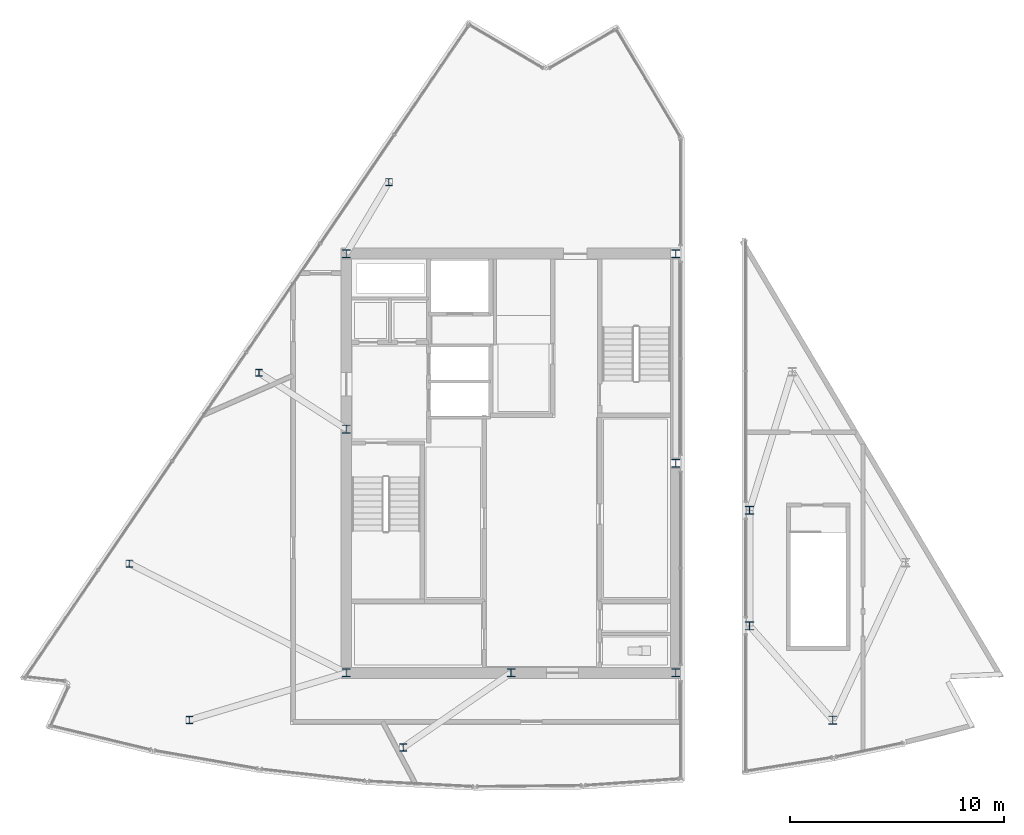
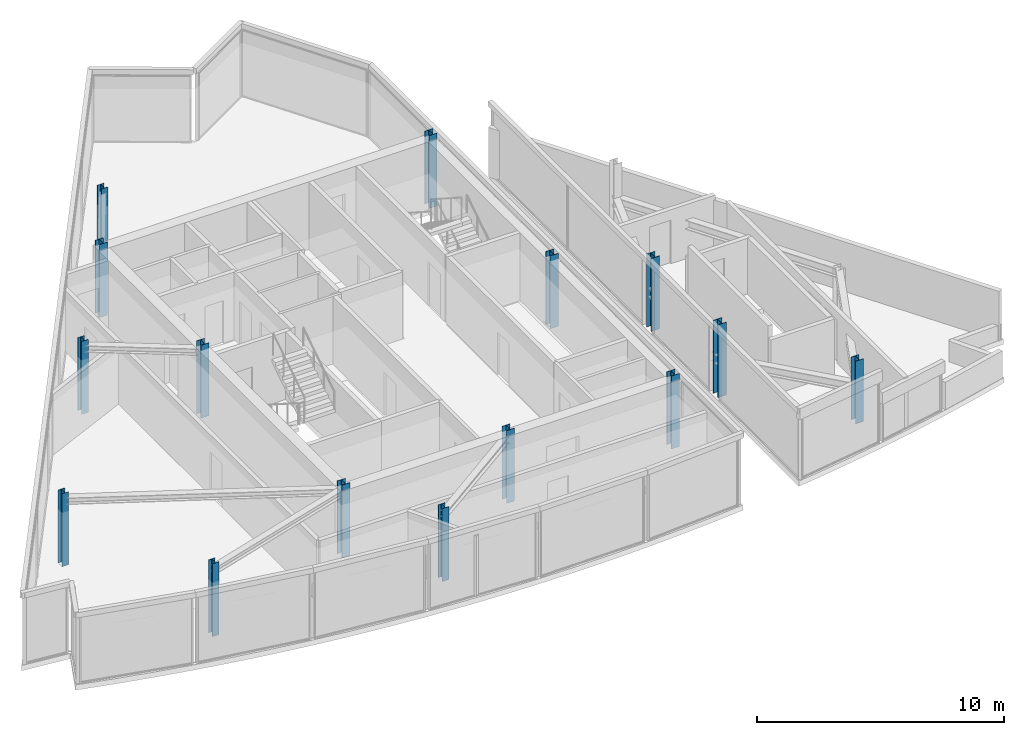
# One storey, part 1 of 13: 15 columns.
"""IFC4 building model written with IfcOpenShell, lengths in metres."""

from ifc_helpers import new_model, si_unit, direction, frame, origin, origin_2d, place, context, subcontext, project, spatial, i_section, extrude, material, material_profile, profile_set, type_object, element, save


model = new_model("IFC4")

# Units and contexts
model_context = context("Model", 3, precision=1e-05, world=origin(), true_north=direction((0.0, 1.0)))
body_context = subcontext(model_context, "Body", "Model", "MODEL_VIEW")
ifc_project = project(units=[si_unit("LENGTHUNIT", "METRE"), si_unit("AREAUNIT", "SQUARE_METRE"), si_unit("VOLUMEUNIT", "CUBIC_METRE"), si_unit("PLANEANGLEUNIT", "RADIAN"), si_unit("MASSUNIT", "GRAM", prefix="KILO")], contexts=[model_context])

# Site, building, storey
site_placement = place(None, origin())
site = spatial("IfcSite", under=ifc_project, at=site_placement, CompositionType="ELEMENT")
building_placement = place(site_placement, origin())
building = spatial("IfcBuilding", under=site, at=building_placement, Name="Savorim Split Tower", CompositionType="ELEMENT")
storey_placement = place(building_placement, frame((0.0, 0.0, 312.0)))
storey = spatial("IfcBuildingStorey", under=building, at=storey_placement, Name="Crown L83 Plant", CompositionType="ELEMENT", Elevation=312.0)

# Columns
ifc_material = material(Name="Steel S355", Category="steel")
ifc_material_profile_1 = material_profile(ifc_material, i_section(OverallWidth=0.30908203125, OverallDepth=0.330078125, WebThickness=0.011474609375, FlangeThickness=0.01904296875, FilletRadius=0.027099609375, at=origin_2d()), Name="HD 320x158")
ifc_profile_set_1 = profile_set([ifc_material_profile_1], Name="Steel S355")
column_type_1 = type_object("IfcColumnType", Name="COL-HD-158", PredefinedType="COLUMN", material=ifc_profile_set_1)
for number, where, z_axis, x_axis, name in (
    (1, (-15.037109375, -11.6015625, 0.0), (0.0, 0.0, 1.0), (1.0, 0.0, 0.0), "Crown L83 Plant West Crown Column WC-1"),
    (2, (-5.039794921875, -12.885009765625, 0.0), (0.0, 0.0, 1.0), (1.0, 0.0, 0.0), "Crown L83 Plant West Crown Column WC-2"),
    (3, (-17.84033203125, -4.288818359375, 0.0), (0.0, 0.0, 1.0), (1.0, 0.0, 0.0), "Crown L83 Plant West Crown Column WC-3"),
    (4, (-11.775390625, 4.626708984375, 0.0), (0.0, 0.0, 1.0), (1.0, 0.0, 0.0), "Crown L83 Plant West Crown Column WC-4"),
    (5, (-5.710205078125, 13.542236328125, 0.0), (0.0, 0.0, 1.0), (1.0, 0.0, 0.0), "Crown L83 Plant West Crown Column WC-5"),
):
    element("IfcColumn", number, at=place(storey_placement, frame(where, z_axis=z_axis, x_axis=x_axis)), inside=storey, type_object=column_type_1, Name=name, PredefinedType="COLUMN", context=body_context, shape_type="SweptSolid", body=[
        extrude(i_section(OverallWidth=0.30908203125, OverallDepth=0.330078125, WebThickness=0.011474609375, FlangeThickness=0.01904296875, FilletRadius=0.027099609375, at=origin_2d()), origin(), (0.0, 0.0, 1.0), 3.60009765625),
    ])
ifc_material_profile_2 = material_profile(ifc_material, i_section(OverallWidth=0.3740234375, OverallDepth=0.3720703125, WebThickness=0.01220703125, FlangeThickness=0.02001953125, FilletRadius=0.014892578125, at=origin_2d()), Name="HD 360x196")
ifc_profile_set_2 = profile_set([ifc_material_profile_2], Name="Steel S355")
column_type_2 = type_object("IfcColumnType", Name="COL-HD-196", PredefinedType="COLUMN", material=ifc_profile_set_2)
for number, where, z_axis, x_axis, name in (
    (6, (-7.699951171875, -9.39990234375, 0.0), (0.0, 0.0, 1.0), (1.0, 0.0, 0.0), "Crown L83 Plant Core Structural Column TC-C1"),
    (7, (7.699951171875, -9.39990234375, 0.0), (0.0, 0.0, 1.0), (1.0, 0.0, 0.0), "Crown L83 Plant Core Structural Column TC-C2"),
    (8, (7.699951171875, 10.199951171875, 0.0), (0.0, 0.0, 1.0), (1.0, 0.0, 0.0), "Crown L83 Plant Core Structural Column TC-C3"),
    (9, (-7.699951171875, 10.199951171875, 0.0), (0.0, 0.0, 1.0), (1.0, 0.0, 0.0), "Crown L83 Plant Core Structural Column TC-C4"),
    (10, (0.0, -9.39990234375, 0.0), (0.0, 0.0, 1.0), (1.0, 0.0, 0.0), "Crown L83 Plant Core Structural Column TC-C5"),
    (11, (7.699951171875, 0.39990234375, 0.0), (0.0, 0.0, 1.0), (1.0, 0.0, 0.0), "Crown L83 Plant Core Structural Column TC-C6"),
    (12, (-7.699951171875, 2.0, 0.0), (0.0, 0.0, 1.0), (1.0, 0.0, 0.0), "Crown L83 Plant Core Structural Column TC-C7"),
):
    element("IfcColumn", number, at=place(storey_placement, frame(where, z_axis=z_axis, x_axis=x_axis)), inside=storey, type_object=column_type_2, Name=name, PredefinedType="COLUMN", context=body_context, shape_type="SweptSolid", body=[
        extrude(i_section(OverallWidth=0.3740234375, OverallDepth=0.3720703125, WebThickness=0.01220703125, FlangeThickness=0.02001953125, FilletRadius=0.014892578125, at=origin_2d()), origin(), (0.0, 0.0, 1.0), 3.60009765625),
    ])
column_placement = place(storey_placement, frame((15.037109375, -11.6015625, 0.0), z_axis=(0.0, 0.0, 1.0), x_axis=(1.0, 0.0, 0.0)))
element("IfcColumn", 13, at=column_placement, inside=storey, type_object=column_type_2, Name="Crown L83 Plant East Crown Column EC-1", PredefinedType="COLUMN", context=body_context, shape_type="SweptSolid", body=[
    extrude(i_section(OverallWidth=0.3740234375, OverallDepth=0.3720703125, WebThickness=0.01220703125, FlangeThickness=0.02001953125, FilletRadius=0.014892578125, at=origin_2d()), origin(), (0.0, 0.0, 1.0), 3.095458984375),
])
ifc_material_profile_3 = material_profile(ifc_material, i_section(OverallWidth=0.39794921875, OverallDepth=0.386962890625, WebThickness=0.013427734375, FlangeThickness=0.02197265625, FilletRadius=0.014892578125, at=origin_2d()), Name="HD 400x262")
ifc_profile_set_3 = profile_set([ifc_material_profile_3], Name="Steel S355")
column_type_3 = type_object("IfcColumnType", Name="COL-HD-262", PredefinedType="COLUMN", material=ifc_profile_set_3)
for number, where, z_axis, x_axis, name in (
    (14, (11.14990234375, -7.199951171875, 0.0), (0.0, 0.0, 1.0), (1.0, 0.0, 0.0), "Crown L83 Plant East Crown Slot Column ECS-1"),
    (15, (11.14990234375, -1.800048828125, 0.0), (0.0, 0.0, 1.0), (1.0, 0.0, 0.0), "Crown L83 Plant East Crown Slot Column ECS-2"),
):
    element("IfcColumn", number, at=place(storey_placement, frame(where, z_axis=z_axis, x_axis=x_axis)), inside=storey, type_object=column_type_3, Name=name, PredefinedType="COLUMN", context=body_context, shape_type="SweptSolid", body=[
        extrude(i_section(OverallWidth=0.39794921875, OverallDepth=0.386962890625, WebThickness=0.013427734375, FlangeThickness=0.02197265625, FilletRadius=0.014892578125, at=origin_2d()), origin(), (0.0, 0.0, 1.0), 3.60009765625),
    ])

save(model, "model.ifc")
